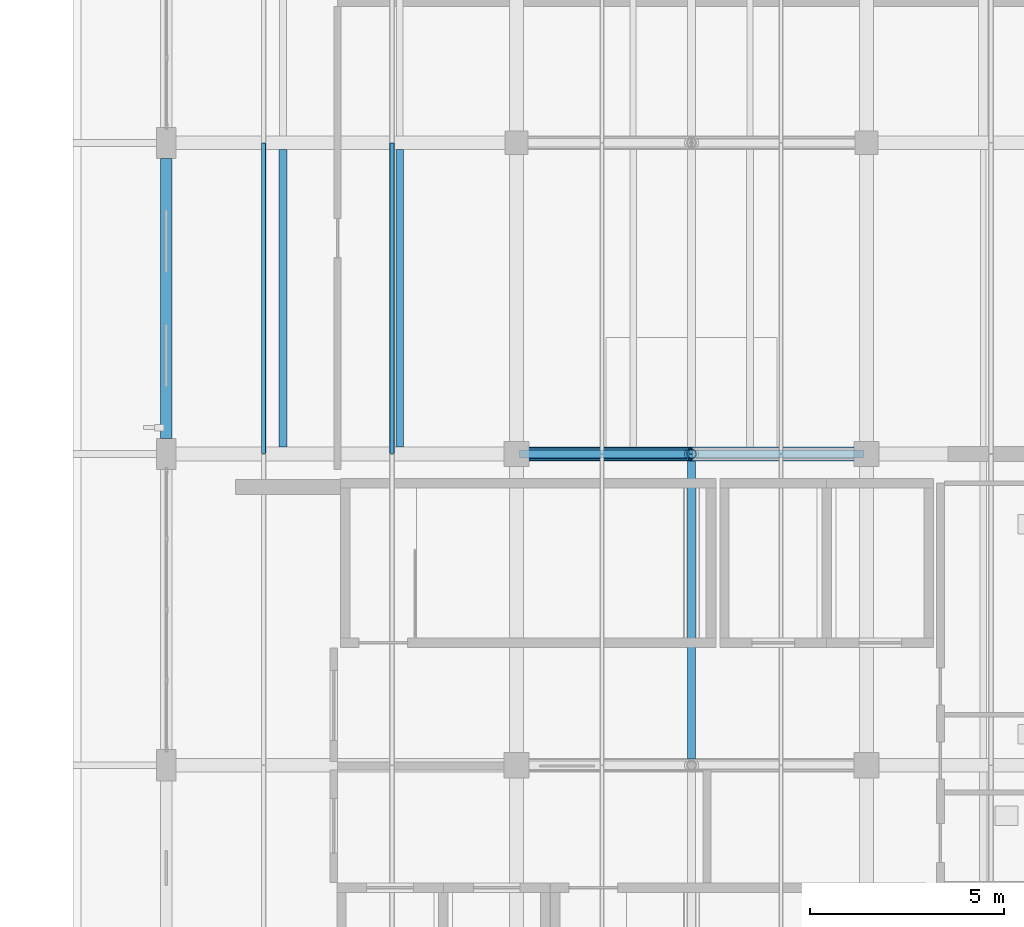
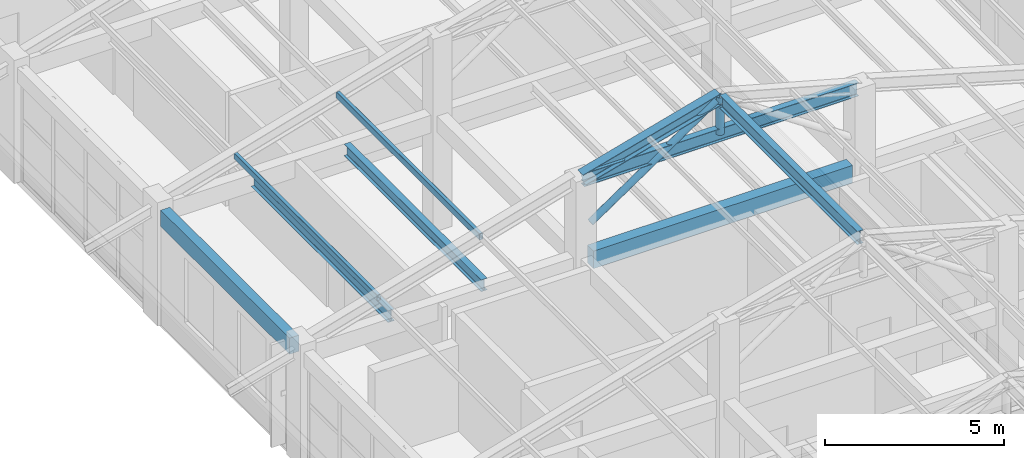
# One storey, part 21 of 58: 6 beams, 5 members.
"""IFC4 building model written with IfcOpenShell, lengths in metres."""

from ifc_helpers import new_model, si_unit, derived_unit, direction, frame, origin, origin_2d, place, context, subcontext, project, spatial, rectangle, hollow_rectangle, hollow_circle, i_section, extrude, material, material_profile, profile_set, type_object, element, save


model = new_model("IFC4")

# Units and contexts
model_context = context("Model", 3, precision=1e-05, world=origin(), true_north=direction((0.0, 1.0)))
body_context = subcontext(model_context, "Body", "Model", "MODEL_VIEW")
ifc_project = project(units=[si_unit("LENGTHUNIT", "METRE"), si_unit("AREAUNIT", "SQUARE_METRE"), si_unit("VOLUMEUNIT", "CUBIC_METRE"), si_unit("PLANEANGLEUNIT", "RADIAN"), si_unit("MASSUNIT", "GRAM", prefix="KILO"), derived_unit("THERMALTRANSMITTANCEUNIT", [(si_unit("MASSUNIT", "GRAM", prefix="KILO"), 1), (si_unit("TIMEUNIT", "SECOND"), -3), (si_unit("THERMODYNAMICTEMPERATUREUNIT", "KELVIN"), -1)])], contexts=[model_context])

# Site, building, storey
site_placement = place(None, origin())
site = spatial("IfcSite", under=ifc_project, at=site_placement, CompositionType="ELEMENT")
building_placement = place(site_placement, origin())
building = spatial("IfcBuilding", under=site, at=building_placement, Name="Zhenchuan Archway Interchange", CompositionType="ELEMENT")
storey_placement = place(building_placement, frame((0.0, 0.0, 22.800048828125)))
storey = spatial("IfcBuildingStorey", under=building, at=storey_placement, Name="L05", CompositionType="ELEMENT", Elevation=22.800048828125)

# Beams
ifc_material_1 = material(Name="Concrete C40", Category="concrete")
ifc_material_profile_1 = material_profile(ifc_material_1, rectangle(XDim=0.35009765625, YDim=0.60009765625, at=origin_2d()), Name="RC 350x600")
ifc_profile_set_1 = profile_set([ifc_material_profile_1], Name="Concrete C40")
beam_type_1 = type_object("IfcBeamType", Name="BM_RC_350x600", PredefinedType="BEAM", material=ifc_profile_set_1)
beam_1_placement = place(storey_placement, frame((153.324951171875, 64.0, 3.619873046875), z_axis=(1.0, 0.0, 0.0), x_axis=(0.0, 1.0, 0.0)))
element("IfcBeam", 1, at=beam_1_placement, inside=storey, type_object=beam_type_1, Name="Beam J:18-19 (L05)", PredefinedType="BEAM", context=body_context, shape_type="SweptSolid", body=[
    extrude(rectangle(XDim=0.35009765625, YDim=0.60009765625, at=origin_2d()), origin(), (0.0, 0.0, 1.0), 8.35009765625),
])
ifc_material_2 = material(Name="Steel Q355", Category="steel")
ifc_material_profile_2 = material_profile(ifc_material_2, i_section(OverallWidth=0.300048828125, OverallDepth=0.389892578125, WebThickness=0.010009765625, FlangeThickness=0.01611328125, FilletRadius=0.02001953125, at=origin_2d()), Name="HM 390x300")
ifc_profile_set_2 = profile_set([ifc_material_profile_2], Name="Steel Q355")
beam_type_2 = type_object("IfcBeamType", Name="BM_STL_HM390", PredefinedType="BEAM", material=ifc_profile_set_2)
beam_2_placement = place(storey_placement, frame((153.050048828125, 64.0, 6.419921875), z_axis=(0.964108539649, 0.0, 0.265508425055), x_axis=(0.0, 1.0, 0.0)))
element("IfcBeam", 2, at=beam_2_placement, inside=storey, type_object=beam_type_2, Name="ROOF TRUSS command wing T6 west apex rafter", PredefinedType="BEAM", context=body_context, shape_type="SweptSolid", body=[
    extrude(i_section(OverallWidth=0.300048828125, OverallDepth=0.389892578125, WebThickness=0.010009765625, FlangeThickness=0.01611328125, FilletRadius=0.02001953125, at=origin_2d()), origin(), (0.0, 0.0, 1.0), 4.5947265625),
])
ifc_material_profile_3 = material_profile(ifc_material_2, i_section(OverallWidth=0.199951171875, OverallDepth=0.449951171875, WebThickness=0.009033203125, FlangeThickness=0.013916015625, FilletRadius=0.01806640625, at=origin_2d()), Name="HN 450x200")
ifc_profile_set_3 = profile_set([ifc_material_profile_3], Name="Steel Q355")
beam_type_3 = type_object("IfcBeamType", Name="BM_STL_HN450", PredefinedType="BEAM", material=ifc_profile_set_3)
beam_3_placement = place(storey_placement, frame((157.5, 56.159912109375, 7.579833984375), z_axis=(0.0, 1.0, 0.0), x_axis=(-1.0, 0.0, 0.0)))
element("IfcBeam", 3, at=beam_3_placement, inside=storey, type_object=beam_type_3, Name="Command wing ridge girder 5", PredefinedType="BEAM", context=body_context, shape_type="SweptSolid", body=[
    extrude(i_section(OverallWidth=0.199951171875, OverallDepth=0.449951171875, WebThickness=0.009033203125, FlangeThickness=0.013916015625, FilletRadius=0.01806640625, at=origin_2d()), origin(), (0.0, 0.0, 1.0), 7.68017578125),
])
ifc_material_profile_4 = material_profile(ifc_material_2, i_section(OverallWidth=0.199951171875, OverallDepth=0.39990234375, WebThickness=0.008056640625, FlangeThickness=0.012939453125, FilletRadius=0.01611328125, at=origin_2d()), Name="HN 400x200")
ifc_profile_set_4 = profile_set([ifc_material_profile_4], Name="Steel Q355")
beam_type_4 = type_object("IfcBeamType", Name="JST_STL_HN400", PredefinedType="JOIST", material=ifc_profile_set_4)
for number, where, z_axis, x_axis, name in (
    (4, (147.0, 64.175048828125, 3.719970703125), (0.0, 1.0, 0.0), (-1.0, 0.0, 0.0), "Secondary joist 17-18/J-K #1 (L05)"),
    (5, (150.0, 64.175048828125, 3.719970703125), (0.0, 1.0, 0.0), (-1.0, 0.0, 0.0), "Secondary joist 17-18/J-K #2 (L05)"),
):
    element("IfcBeam", number, at=place(storey_placement, frame(where, z_axis=z_axis, x_axis=x_axis)), inside=storey, type_object=beam_type_4, Name=name, PredefinedType="JOIST", context=body_context, shape_type="SweptSolid", body=[
        extrude(i_section(OverallWidth=0.199951171875, OverallDepth=0.39990234375, WebThickness=0.008056640625, FlangeThickness=0.012939453125, FilletRadius=0.01611328125, at=origin_2d()), origin(), (0.0, 0.0, 1.0), 7.64990234375),
    ])

# Members
ifc_material_profile_5 = material_profile(ifc_material_2, i_section(OverallWidth=0.199951171875, OverallDepth=0.449951171875, WebThickness=0.009033203125, FlangeThickness=0.013916015625, FilletRadius=0.01806640625, at=origin_2d()), Name="HN 450x200")
ifc_profile_set_5 = profile_set([ifc_material_profile_5], Name="Steel Q355")
member_type_1 = type_object("IfcMemberType", Name="MB_CHD_HN450", PredefinedType="CHORD", material=ifc_profile_set_5)
member_1_placement = place(storey_placement, frame((153.080078125, 64.0, 6.3798828125), z_axis=(1.0, 0.0, 0.0), x_axis=(0.0, 1.0, 0.0)))
element("IfcMember", 6, at=member_1_placement, inside=storey, type_object=member_type_1, Name="ROOF TRUSS command wing T6 ridge collar tie", PredefinedType="CHORD", context=body_context, shape_type="SweptSolid", body=[
    extrude(i_section(OverallWidth=0.199951171875, OverallDepth=0.449951171875, WebThickness=0.009033203125, FlangeThickness=0.013916015625, FilletRadius=0.01806640625, at=origin_2d()), origin(), (0.0, 0.0, 1.0), 8.83984375),
])
ifc_material_profile_6 = material_profile(ifc_material_2, hollow_circle(Radius=0.109619140625, WallThickness=0.008056640625, at=origin_2d()), Name="CHS 219x8")
ifc_profile_set_6 = profile_set([ifc_material_profile_6], Name="Steel Q355")
member_type_2 = type_object("IfcMemberType", Name="MB_CHS219", PredefinedType="BRACE", material=ifc_profile_set_6)
member_2_placement = place(storey_placement, frame((153.320068359375, 64.0, 4.800048828125), z_axis=(0.827937334182, 0.0, 0.560820622541), x_axis=(0.0, 1.0, 0.0)))
element("IfcMember", 7, at=member_2_placement, inside=storey, type_object=member_type_2, Name="ROOF TRUSS command wing T6 west apex diagonal", PredefinedType="BRACE", context=body_context, shape_type="SweptSolid", body=[
    extrude(hollow_circle(Radius=0.109619140625, WallThickness=0.008056640625, at=origin_2d()), origin(), (0.0, 0.0, 1.0), 4.903564453125),
])
ifc_material_profile_7 = material_profile(ifc_material_2, hollow_circle(Radius=0.12255859375, WallThickness=0.010009765625, at=origin_2d()), Name="CHS 245x10")
ifc_profile_set_7 = profile_set([ifc_material_profile_7], Name="Steel Q355")
member_type_3 = type_object("IfcMemberType", Name="MB_CHS245", PredefinedType="BRACE", material=ifc_profile_set_7)
member_3_placement = place(storey_placement, frame((157.5, 64.0, 6.3798828125), z_axis=(0.0, 0.0, 1.0), x_axis=(1.0, 0.0, 0.0)))
element("IfcMember", 8, at=member_3_placement, inside=storey, type_object=member_type_3, Name="ROOF TRUSS command wing T6 apex king-post", PredefinedType="BRACE", context=body_context, shape_type="SweptSolid", body=[
    extrude(hollow_circle(Radius=0.12255859375, WallThickness=0.010009765625, at=origin_2d()), origin(), (0.0, 0.0, 1.0), 1.280029296875),
])
ifc_material_profile_8 = material_profile(ifc_material_2, hollow_rectangle(XDim=0.1201171875, YDim=0.199951171875, WallThickness=0.008056640625, InnerFilletRadius=0.008056640625, OuterFilletRadius=0.01611328125, at=origin_2d()), Name="RHS 200x120x8")
ifc_profile_set_8 = profile_set([ifc_material_profile_8], Name="Steel Q355")
member_type_4 = type_object("IfcMemberType", Name="MB_RHS200", PredefinedType="PURLIN", material=ifc_profile_set_8)
member_4_placement = place(storey_placement, frame((146.5, 64.008056640625, 4.619873046875), z_axis=(0.0, 1.0, 0.0), x_axis=(-1.0, 0.0, 0.0)))
element("IfcMember", 9, at=member_4_placement, inside=storey, type_object=member_type_4, Name="Command wing roof purlin B6-P1", PredefinedType="PURLIN", context=body_context, shape_type="SweptSolid", body=[
    extrude(hollow_rectangle(XDim=0.1201171875, YDim=0.199951171875, WallThickness=0.008056640625, InnerFilletRadius=0.008056640625, OuterFilletRadius=0.01611328125, at=origin_2d()), origin(), (0.0, 0.0, 1.0), 7.98388671875),
])
ifc_material_profile_9 = material_profile(ifc_material_2, hollow_rectangle(XDim=0.1201171875, YDim=0.219970703125, WallThickness=0.008056640625, InnerFilletRadius=0.008056640625, OuterFilletRadius=0.01611328125, at=origin_2d()), Name="RHS 220x120x8")
ifc_profile_set_9 = profile_set([ifc_material_profile_9], Name="Steel Q355")
member_type_5 = type_object("IfcMemberType", Name="MB_RHS220", PredefinedType="PURLIN", material=ifc_profile_set_9)
member_5_placement = place(storey_placement, frame((149.800048828125, 64.008056640625, 5.5400390625), z_axis=(0.0, 1.0, 0.0), x_axis=(-1.0, 0.0, 0.0)))
element("IfcMember", 10, at=member_5_placement, inside=storey, type_object=member_type_5, Name="Command wing roof purlin B6-P2", PredefinedType="PURLIN", context=body_context, shape_type="SweptSolid", body=[
    extrude(hollow_rectangle(XDim=0.1201171875, YDim=0.219970703125, WallThickness=0.008056640625, InnerFilletRadius=0.008056640625, OuterFilletRadius=0.01611328125, at=origin_2d()), origin(), (0.0, 0.0, 1.0), 7.98388671875),
])

# Beam
ifc_material_profile_10 = material_profile(ifc_material_1, rectangle(XDim=0.300048828125, YDim=0.550048828125, at=origin_2d()), Name="RC 300x550")
ifc_profile_set_10 = profile_set([ifc_material_profile_10], Name="Concrete C40")
beam_type_5 = type_object("IfcBeamType", Name="SP_RC_300x550", PredefinedType="SPANDREL", material=ifc_profile_set_10)
beam_4_placement = place(storey_placement, frame((144.0, 64.39990234375, 3.64501953125), z_axis=(0.0, 1.0, 0.0), x_axis=(-1.0, 0.0, 0.0)))
element("IfcBeam", 11, at=beam_4_placement, inside=storey, type_object=beam_type_5, Name="Beam 17:J-K (L05)", PredefinedType="SPANDREL", context=body_context, shape_type="SweptSolid", body=[
    extrude(rectangle(XDim=0.300048828125, YDim=0.550048828125, at=origin_2d()), origin(), (0.0, 0.0, 1.0), 7.2001953125),
])

save(model, "model.ifc")
